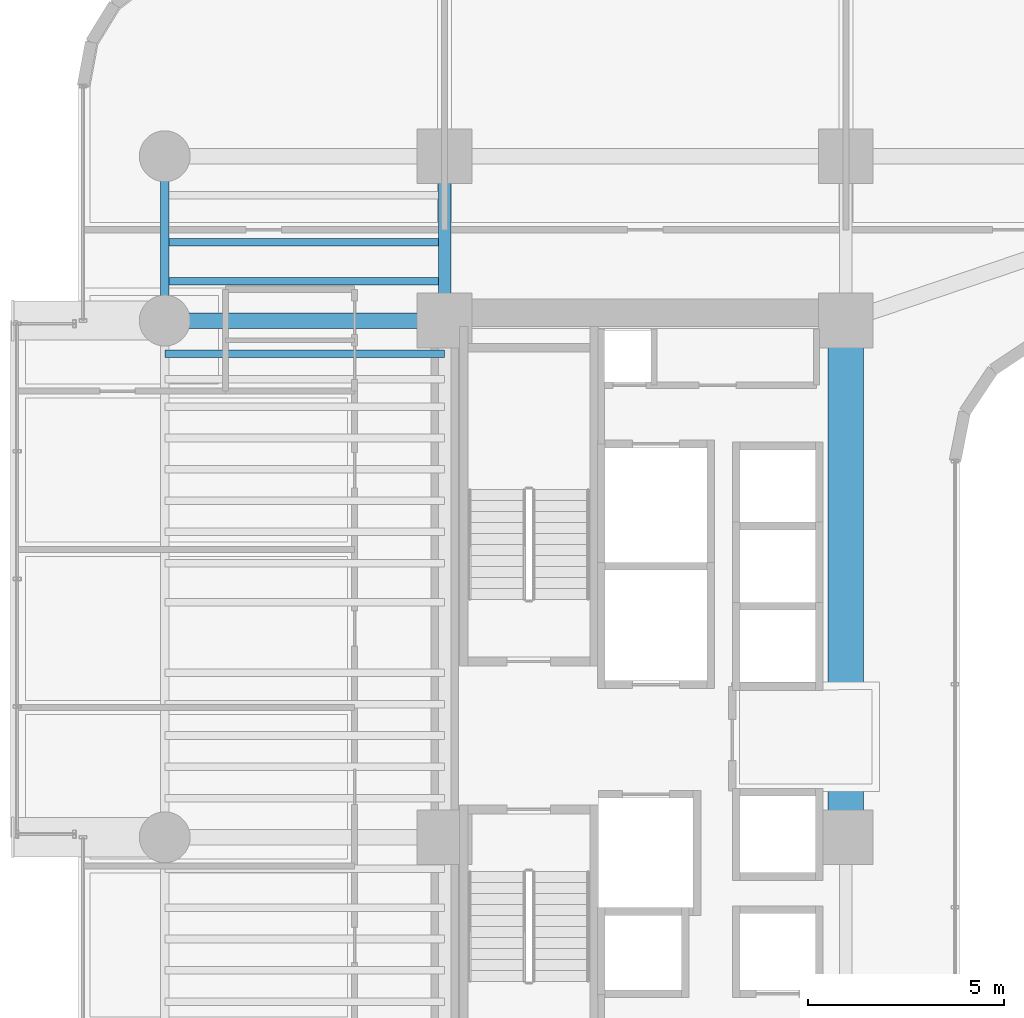
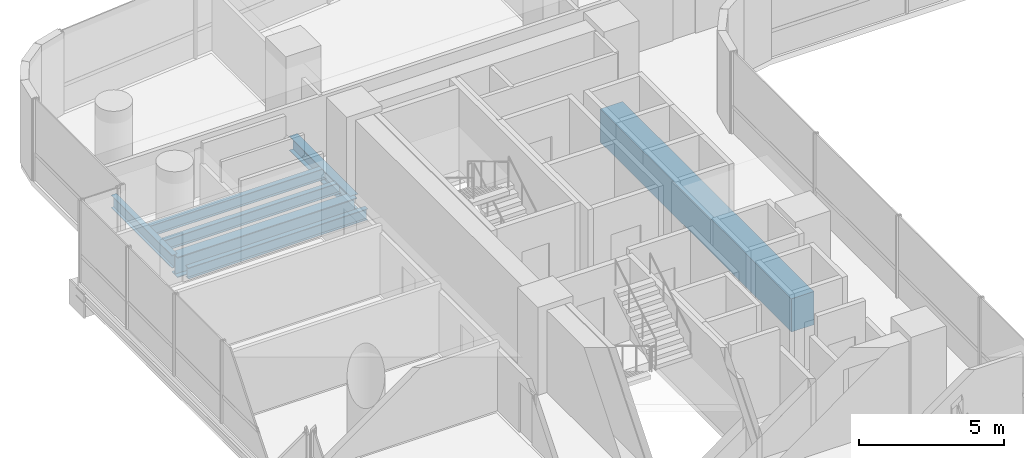
# One storey, part 9 of 38: 7 beams.
"""IFC4 building model written with IfcOpenShell, lengths in metres."""

from ifc_helpers import new_model, si_unit, direction, frame, origin, origin_2d, place, context, subcontext, project, spatial, rectangle, i_section, extrude, source, transform, mapped, material, material_profile, profile_set, type_object, element, save


model = new_model("IFC4")

# Units and contexts
model_context = context("Model", 3, precision=1e-05, world=origin(), true_north=direction((0.0, 1.0)))
body_context = subcontext(model_context, "Body", "Model", "MODEL_VIEW")
ifc_project = project(units=[si_unit("LENGTHUNIT", "METRE"), si_unit("AREAUNIT", "SQUARE_METRE"), si_unit("VOLUMEUNIT", "CUBIC_METRE"), si_unit("PLANEANGLEUNIT", "RADIAN"), si_unit("MASSUNIT", "GRAM", prefix="KILO")], contexts=[model_context])

# Site, building, storey
site_placement = place(None, origin())
site = spatial("IfcSite", under=ifc_project, at=site_placement, CompositionType="ELEMENT")
building_placement = place(site_placement, origin())
building = spatial("IfcBuilding", under=site, at=building_placement, Name="Valdorenza Pilgrim Sanctuary Tower", CompositionType="ELEMENT")
storey_placement = place(building_placement, frame((0.0, 0.0, 37.10009765625)))
storey = spatial("IfcBuildingStorey", under=building, at=storey_placement, Name="L08", CompositionType="ELEMENT", Elevation=37.10009765625)

# Beams
ifc_material_1 = material(Name="Concrete C60/75", Category="concrete")
ifc_material_profile_1 = material_profile(ifc_material_1, rectangle(XDim=0.89990234375, YDim=1.39990234375, at=origin_2d()), Name="RC 1400x900")
ifc_profile_set_1 = profile_set([ifc_material_profile_1], Name="Concrete C60/75")
beam_type_1 = type_object("IfcBeamType", Name="STR-BM-LNT-1400", PredefinedType="LINTEL", material=ifc_profile_set_1)
shared_shape_1 = source(origin(), body_context, "Body", "SweptSolid", [
    extrude(rectangle(XDim=0.89990234375, YDim=1.39990234375, at=origin_2d()), origin(), (0.0, 0.0, 1.0), 13.2001953125),
])
beam_1_placement = place(storey_placement, frame((-12.39990234375, -2.60009765625, -0.739990234375), z_axis=(0.0, 1.0, 0.0), x_axis=(-1.0, 0.0, 0.0)))
element("IfcBeam", 1, at=beam_1_placement, inside=storey, type_object=beam_type_1, Name="L08 Core A Coupling Lintel Girder", PredefinedType="LINTEL", context=body_context, shape_type="MappedRepresentation", body=[
    mapped(shared_shape_1, transform((0.0, 0.0, 0.0), x_axis=(1.0, 0.0, 0.0), y_axis=(0.0, 1.0, 0.0), z_axis=(0.0, 0.0, 1.0), scale=1.0)),
])
ifc_material_2 = material(Name="Steel ASTM A992 Grade 50", Category="steel")
ifc_material_profile_2 = material_profile(ifc_material_2, i_section(OverallWidth=0.214111328125, OverallDepth=0.549072265625, WebThickness=0.0146484375, FlangeThickness=0.023681640625, at=origin_2d()), Name="W21X93")
ifc_profile_set_2 = profile_set([ifc_material_profile_2], Name="Steel ASTM A992 Grade 50")
beam_type_2 = type_object("IfcBeamType", Name="STR-BM-SPN-W21A", PredefinedType="SPANDREL", material=ifc_profile_set_2)
shared_shape_2 = source(origin(), body_context, "Body", "SweptSolid", [
    extrude(i_section(OverallWidth=0.214111328125, OverallDepth=0.549072265625, WebThickness=0.0146484375, FlangeThickness=0.023681640625, at=origin_2d()), origin(), (0.0, 0.0, 1.0), 4.199951171875),
])
beam_2_placement = place(storey_placement, frame((-29.800048828125, 10.60009765625, -0.5146484375), z_axis=(0.0, 1.0, 0.0), x_axis=(-1.0, 0.0, 0.0)))
element("IfcBeam", 2, at=beam_2_placement, inside=storey, type_object=beam_type_2, Name="L08 Spandrel Beam WA-W-N1N2", PredefinedType="SPANDREL", context=body_context, shape_type="MappedRepresentation", body=[
    mapped(shared_shape_2, transform((0.0, 0.0, 0.0), x_axis=(1.0, 0.0, 0.0), y_axis=(0.0, 1.0, 0.0), z_axis=(0.0, 0.0, 1.0), scale=1.0)),
])
ifc_material_profile_3 = material_profile(ifc_material_2, i_section(OverallWidth=0.323974609375, OverallDepth=0.611083984375, WebThickness=0.0126953125, FlangeThickness=0.01904296875, at=origin_2d()), Name="W24X104")
ifc_profile_set_3 = profile_set([ifc_material_profile_3], Name="Steel ASTM A992 Grade 50")
beam_type_3 = type_object("IfcBeamType", Name="STR-BM-GRD-W24B", PredefinedType="BEAM", material=ifc_profile_set_3)
shared_shape_3 = source(origin(), body_context, "Body", "SweptSolid", [
    extrude(i_section(OverallWidth=0.323974609375, OverallDepth=0.611083984375, WebThickness=0.0126953125, FlangeThickness=0.01904296875, at=origin_2d()), origin(), (0.0, 0.0, 1.0), 4.199951171875),
])
beam_3_placement = place(storey_placement, frame((-22.64990234375, 10.60009765625, -0.545654296875), z_axis=(0.0, 1.0, 0.0), x_axis=(-1.0, 0.0, 0.0)))
element("IfcBeam", 3, at=beam_3_placement, inside=storey, type_object=beam_type_3, Name="L08 Core Tie Girder CA-W-N1N2", PredefinedType="BEAM", context=body_context, shape_type="MappedRepresentation", body=[
    mapped(shared_shape_3, transform((0.0, 0.0, 0.0), x_axis=(1.0, 0.0, 0.0), y_axis=(0.0, 1.0, 0.0), z_axis=(0.0, 0.0, 1.0), scale=1.0)),
])
ifc_material_profile_4 = material_profile(ifc_material_2, i_section(OverallWidth=0.193115234375, OverallDepth=0.466064453125, WebThickness=0.011474609375, FlangeThickness=0.01904296875, at=origin_2d()), Name="W18X65")
ifc_profile_set_4 = profile_set([ifc_material_profile_4], Name="Steel ASTM A992 Grade 50")
beam_type_4 = type_object("IfcBeamType", Name="STR-BM-JST-W18A", PredefinedType="JOIST", material=ifc_profile_set_4)
shared_shape_4 = source(origin(), body_context, "Body", "SweptSolid", [
    extrude(i_section(OverallWidth=0.193115234375, OverallDepth=0.466064453125, WebThickness=0.011474609375, FlangeThickness=0.01904296875, at=origin_2d()), origin(), (0.0, 0.0, 1.0), 7.150146484375),
])
for number, where, z_axis, x_axis, name in (
    (4, (-29.800048828125, 9.75, -0.47314453125), (1.0, 0.0, 0.0), (0.0, 1.0, 0.0), "L08 Composite Floor Joist JST-WA-23"),
    (5, (-29.800048828125, 11.60009765625, -0.47314453125), (1.0, 0.0, 0.0), (0.0, 1.0, 0.0), "L08 Composite Floor Joist JST-WA-24"),
    (6, (-29.800048828125, 12.60009765625, -0.47314453125), (1.0, 0.0, 0.0), (0.0, 1.0, 0.0), "L08 Composite Floor Joist JST-WA-25"),
):
    element("IfcBeam", number, at=place(storey_placement, frame(where, z_axis=z_axis, x_axis=x_axis)), inside=storey, type_object=beam_type_4, Name=name, PredefinedType="JOIST", context=body_context, shape_type="MappedRepresentation", body=[
        mapped(shared_shape_4, transform((0.0, 0.0, 0.0), x_axis=(1.0, 0.0, 0.0), y_axis=(0.0, 1.0, 0.0), z_axis=(0.0, 0.0, 1.0), scale=1.0)),
    ])
ifc_material_profile_5 = material_profile(ifc_material_2, i_section(OverallWidth=0.39990234375, OverallDepth=0.862060546875, WebThickness=0.019775390625, FlangeThickness=0.032470703125, at=origin_2d()), Name="W33X221")
ifc_profile_set_5 = profile_set([ifc_material_profile_5], Name="Steel ASTM A992 Grade 50")
beam_type_5 = type_object("IfcBeamType", Name="STR-BM-GRD-W33", PredefinedType="BEAM", material=ifc_profile_set_5)
shared_shape_5 = source(origin(), body_context, "Body", "SweptSolid", [
    extrude(i_section(OverallWidth=0.39990234375, OverallDepth=0.862060546875, WebThickness=0.019775390625, FlangeThickness=0.032470703125, at=origin_2d()), origin(), (0.0, 0.0, 1.0), 7.150146484375),
])
beam_4_placement = place(storey_placement, frame((-29.800048828125, 10.60009765625, -0.671142578125), z_axis=(1.0, 0.0, 0.0), x_axis=(0.0, 1.0, 0.0)))
element("IfcBeam", 7, at=beam_4_placement, inside=storey, type_object=beam_type_5, Name="L08 Floor Girder WA-XW-N1", PredefinedType="BEAM", context=body_context, shape_type="MappedRepresentation", body=[
    mapped(shared_shape_5, transform((0.0, 0.0, 0.0), x_axis=(1.0, 0.0, 0.0), y_axis=(0.0, 1.0, 0.0), z_axis=(0.0, 0.0, 1.0), scale=1.0)),
])

save(model, "model.ifc")
